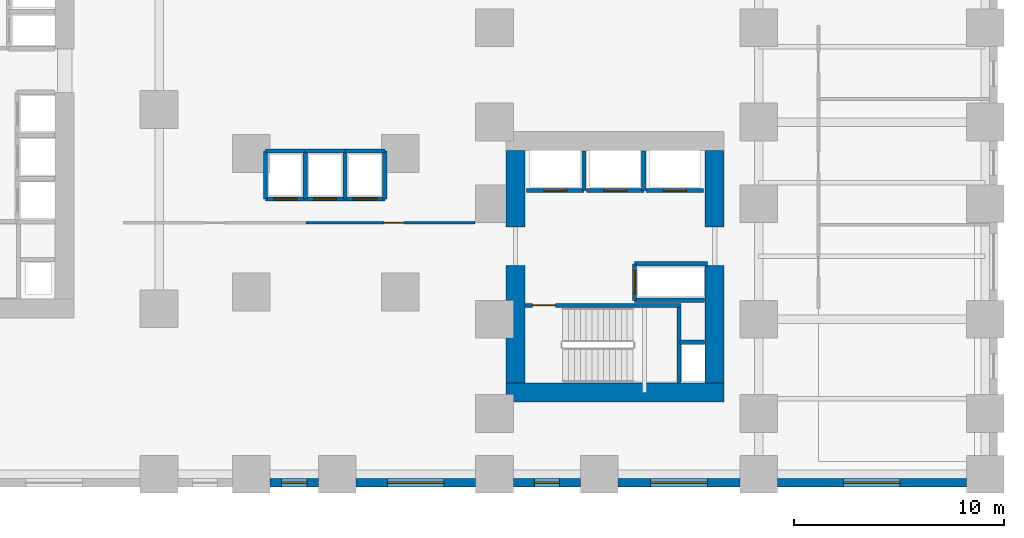
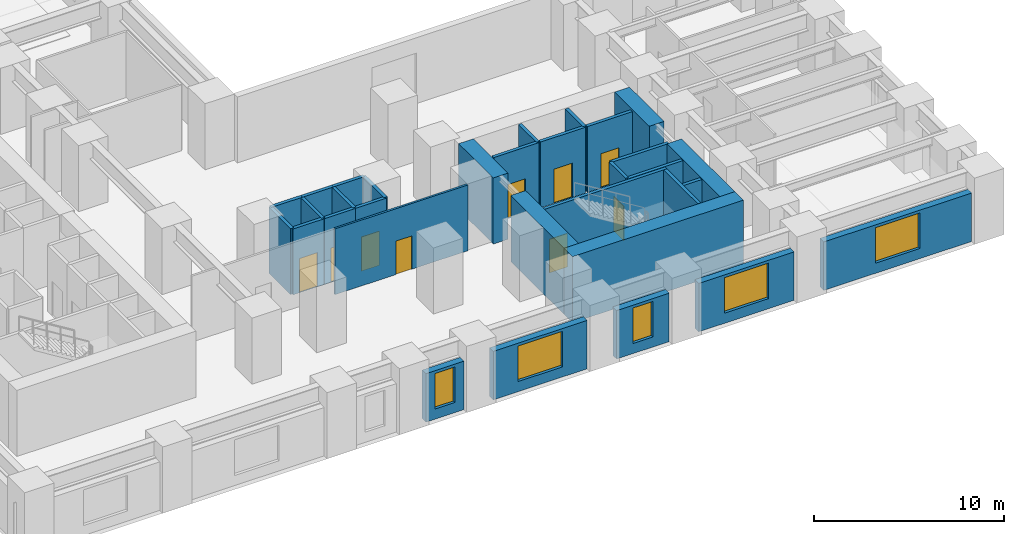
# One storey, part 6 of 11: 32 walls, 9 doors, 5 windows, 14 openings.
"""IFC4 building model written with IfcOpenShell, lengths in metres."""

from ifc_helpers import new_model, si_unit, direction, frame, frame_2d, origin, place, context, subcontext, project, spatial, rectangle, extrude, source, transform, mapped, material, layer, layer_set, type_object, element, fill, save


model = new_model("IFC4")

# Units and contexts
model_context = context("Model", 3, precision=1e-05, world=origin(), true_north=direction((0.0, 1.0)))
body_context = subcontext(model_context, "Body", "Model", "MODEL_VIEW")
ifc_project = project(units=[si_unit("LENGTHUNIT", "METRE"), si_unit("AREAUNIT", "SQUARE_METRE"), si_unit("VOLUMEUNIT", "CUBIC_METRE"), si_unit("PLANEANGLEUNIT", "RADIAN"), si_unit("MASSUNIT", "GRAM", prefix="KILO")], contexts=[model_context])

# Site, building, storey
site_placement = place(None, origin())
site = spatial("IfcSite", under=ifc_project, at=site_placement, CompositionType="ELEMENT")
building_placement = place(site_placement, origin())
building = spatial("IfcBuilding", under=site, at=building_placement, Name="Kharzan Plaza Tower", CompositionType="ELEMENT")
storey_placement = place(building_placement, frame((0.0, 0.0, 9.0)))
storey = spatial("IfcBuildingStorey", under=building, at=storey_placement, Name="L02", CompositionType="ELEMENT", Elevation=9.0)

# Wall, opening, door
ifc_material_1 = material(Name="Fire-Rated Gypsum Board Partition", Category="gypsum")
ifc_layer_1 = layer(ifc_material_1, 0.125)
ifc_layer_set_1 = layer_set([ifc_layer_1], Name="Fire-Rated Gypsum Board Partition")
wall_type_1 = type_object("IfcWallType", Name="WL-INT-PART-125", PredefinedType="PARTITIONING", material=ifc_layer_set_1)
wall_1_placement = place(storey_placement, frame((26.0, 12.60009765625, 0.0), z_axis=(0.0, 0.0, 1.0), x_axis=(1.0, 0.0, 0.0)))
wall_1 = element("IfcWall", 1, at=wall_1_placement, inside=storey, type_object=wall_type_1, Name="L02 Interior Partition L02-W3B", PredefinedType="PARTITIONING", context=body_context, shape_type="SweptSolid", body=[
    extrude(rectangle(XDim=8.080078125, YDim=0.125, at=frame_2d((4.0400390625, 0.0))), origin(), (0.0, 0.0, 1.0), 4.235107421875),
])
opening_1_placement = place(wall_1_placement, frame((3.72509765625, 0.0, 0.0)))
opening_1 = element("IfcOpeningElement", 2, at=opening_1_placement, cuts=wall_1, Name="Opening OD1", PredefinedType="OPENING", context=body_context, shape_type="SweptSolid", body=[
    extrude(rectangle(XDim=0.949951171875, YDim=2.14990234375, at=frame_2d((0.47509765625, 1.074951171875))), frame((0.0, 0.072509765625, 0.0), z_axis=(0.0, -1.0, 0.0), x_axis=(1.0, 0.0, 0.0)), (0.0, 0.0, 1.0), 0.14501953125),
])
ifc_material_2 = material(Name="Acoustic Solid-Core Stained Oak", Category="timber")
door_type_1 = type_object("IfcDoorType", Name="DR-OFF-SINGLE", OperationType="NOTDEFINED", PredefinedType="DOOR", material=ifc_material_2)
shared_shape_1 = source(origin(), body_context, "Body", "SweptSolid", [
    extrude(rectangle(XDim=0.949951171875, YDim=2.14990234375, at=frame_2d((0.47509765625, 1.074951171875))), frame((0.0, 0.02490234375, 0.0), z_axis=(0.0, -1.0, 0.0), x_axis=(1.0, 0.0, 0.0)), (0.0, 0.0, 1.0), 0.050048828125),
])
door_1_placement = place(opening_1_placement, origin())
door_1 = element("IfcDoor", 3, at=door_1_placement, inside=storey, type_object=door_type_1, Name="L02 Speakers Room Door", OperationType="SINGLE_SWING_LEFT", OverallHeight=2.14990234375, OverallWidth=0.949951171875, PredefinedType="DOOR", context=body_context, shape_type="MappedRepresentation", body=[
    mapped(shared_shape_1, transform((0.0, 0.0, 0.0), x_axis=(1.0, 0.0, 0.0), y_axis=(0.0, 1.0, 0.0), z_axis=(0.0, 0.0, 1.0))),
])
fill(opening_1, door_1)

ifc_material_3 = material(Name="Concrete C40/50", Category="concrete")
ifc_layer_2 = layer(ifc_material_3, 0.199951171875)
ifc_layer_set_2 = layer_set([ifc_layer_2], Name="Concrete C40/50")
wall_type_2 = type_object("IfcWallType", Name="WL-INT-SHAFT-200", PredefinedType="PARTITIONING", material=ifc_layer_set_2)
wall_2_placement = place(storey_placement, frame((36.530029296875, 14.1298828125, 0.0), z_axis=(0.0, 0.0, 1.0), x_axis=(1.0, 0.0, 0.0)))
wall_2 = element("IfcWall", 4, at=wall_2_placement, inside=storey, type_object=wall_type_2, Name="L02 Interior Partition SHF-PL-L1-S", PredefinedType="PARTITIONING", context=body_context, shape_type="SweptSolid", body=[
    extrude(rectangle(XDim=2.739990234375, YDim=0.199951171875, at=frame_2d((1.3701171875, 0.0))), origin(), (0.0, 0.0, 1.0), 4.235107421875),
])
opening_2_placement = place(wall_2_placement, frame((0.820068359375, 0.0, 0.0)))
opening_2 = element("IfcOpeningElement", 5, at=opening_2_placement, cuts=wall_2, Name="Opening LD", PredefinedType="OPENING", context=body_context, shape_type="SweptSolid", body=[
    extrude(rectangle(XDim=1.10009765625, YDim=2.199951171875, at=frame_2d((0.550048828125, 1.10009765625))), frame((0.0, 0.10986328125, 0.0), z_axis=(0.0, -1.0, 0.0), x_axis=(1.0, 0.0, 0.0)), (0.0, 0.0, 1.0), 0.219970703125),
])
ifc_material_4 = material(Name="Brushed Stainless Steel", Category="steel")
door_type_2 = type_object("IfcDoorType", Name="DR-LIFT-SLIDE", OperationType="SLIDING_TO_LEFT", PredefinedType="DOOR", material=ifc_material_4)
shared_shape_2 = source(origin(), body_context, "Body", "SweptSolid", [
    extrude(rectangle(XDim=1.10009765625, YDim=2.199951171875, at=frame_2d((0.550048828125, 1.10009765625))), frame((0.0, 0.02490234375, 0.0), z_axis=(0.0, -1.0, 0.0), x_axis=(1.0, 0.0, 0.0)), (0.0, 0.0, 1.0), 0.050048828125),
])
door_2_placement = place(opening_2_placement, origin())
door_2 = element("IfcDoor", 6, at=door_2_placement, inside=storey, type_object=door_type_2, Name="L02 Low-Rise Passenger Lift PL-L1 Sliding Landing Door", OperationType="SLIDING_TO_LEFT", OverallHeight=2.199951171875, OverallWidth=1.10009765625, PredefinedType="DOOR", context=body_context, shape_type="MappedRepresentation", body=[
    mapped(shared_shape_2, transform((0.0, 0.0, 0.0), x_axis=(1.0, 0.0, 0.0), y_axis=(0.0, 1.0, 0.0), z_axis=(0.0, 0.0, 1.0))),
])
fill(opening_2, door_2)

wall_3_placement = place(storey_placement, frame((39.3798828125, 14.1298828125, 0.0), z_axis=(0.0, 0.0, 1.0), x_axis=(1.0, 0.0, 0.0)))
wall_3 = element("IfcWall", 7, at=wall_3_placement, inside=storey, type_object=wall_type_2, Name="L02 Interior Partition SHF-PL-L2-S", PredefinedType="PARTITIONING", context=body_context, shape_type="SweptSolid", body=[
    extrude(rectangle(XDim=2.740234375, YDim=0.199951171875, at=frame_2d((1.3701171875, 0.0))), origin(), (0.0, 0.0, 1.0), 4.235107421875),
])
opening_3_placement = place(wall_3_placement, frame((0.820068359375, 0.0, 0.0)))
opening_3 = element("IfcOpeningElement", 8, at=opening_3_placement, cuts=wall_3, Name="Opening LD", PredefinedType="OPENING", context=body_context, shape_type="SweptSolid", body=[
    extrude(rectangle(XDim=1.10009765625, YDim=2.199951171875, at=frame_2d((0.550048828125, 1.10009765625))), frame((0.0, 0.10986328125, 0.0), z_axis=(0.0, -1.0, 0.0), x_axis=(1.0, 0.0, 0.0)), (0.0, 0.0, 1.0), 0.219970703125),
])
door_3_placement = place(opening_3_placement, origin())
door_3 = element("IfcDoor", 9, at=door_3_placement, inside=storey, type_object=door_type_2, Name="L02 Low-Rise Passenger Lift PL-L2 Sliding Landing Door", OperationType="SLIDING_TO_LEFT", OverallHeight=2.199951171875, OverallWidth=1.10009765625, PredefinedType="DOOR", context=body_context, shape_type="MappedRepresentation", body=[
    mapped(shared_shape_2, transform((0.0, 0.0, 0.0), x_axis=(1.0, 0.0, 0.0), y_axis=(0.0, 1.0, 0.0), z_axis=(0.0, 0.0, 1.0))),
])
fill(opening_3, door_3)

wall_4_placement = place(storey_placement, frame((42.22998046875, 14.1298828125, 0.0), z_axis=(0.0, 0.0, 1.0), x_axis=(1.0, 0.0, 0.0)))
wall_4 = element("IfcWall", 10, at=wall_4_placement, inside=storey, type_object=wall_type_2, Name="L02 Interior Partition SHF-PL-L3-S", PredefinedType="PARTITIONING", context=body_context, shape_type="SweptSolid", body=[
    extrude(rectangle(XDim=2.739990234375, YDim=0.199951171875, at=frame_2d((1.3701171875, 0.0))), origin(), (0.0, 0.0, 1.0), 4.235107421875),
])
opening_4_placement = place(wall_4_placement, frame((0.820068359375, 0.0, 0.0)))
opening_4 = element("IfcOpeningElement", 11, at=opening_4_placement, cuts=wall_4, Name="Opening LD", PredefinedType="OPENING", context=body_context, shape_type="SweptSolid", body=[
    extrude(rectangle(XDim=1.10009765625, YDim=2.199951171875, at=frame_2d((0.550048828125, 1.10009765625))), frame((0.0, 0.10986328125, 0.0), z_axis=(0.0, -1.0, 0.0), x_axis=(1.0, 0.0, 0.0)), (0.0, 0.0, 1.0), 0.219970703125),
])
door_4_placement = place(opening_4_placement, origin())
door_4 = element("IfcDoor", 12, at=door_4_placement, inside=storey, type_object=door_type_2, Name="L02 Low-Rise Passenger Lift PL-L3 Sliding Landing Door", OperationType="SLIDING_TO_LEFT", OverallHeight=2.199951171875, OverallWidth=1.10009765625, PredefinedType="DOOR", context=body_context, shape_type="MappedRepresentation", body=[
    mapped(shared_shape_2, transform((0.0, 0.0, 0.0), x_axis=(1.0, 0.0, 0.0), y_axis=(0.0, 1.0, 0.0), z_axis=(0.0, 0.0, 1.0))),
])
fill(opening_4, door_4)

wall_5_placement = place(storey_placement, frame((24.080078125, 13.72998046875, 0.0), z_axis=(0.0, 0.0, 1.0), x_axis=(1.0, 0.0, 0.0)))
wall_5 = element("IfcWall", 13, at=wall_5_placement, inside=storey, type_object=wall_type_2, Name="L02 Interior Partition SHF-PL-M1-S", PredefinedType="PARTITIONING", context=body_context, shape_type="SweptSolid", body=[
    extrude(rectangle(XDim=1.889892578125, YDim=0.199951171875, at=frame_2d((0.94482421875, 0.0))), origin(), (0.0, 0.0, 1.0), 4.235107421875),
])
opening_5_placement = place(wall_5_placement, frame((0.39501953125, 0.0, 0.0)))
opening_5 = element("IfcOpeningElement", 14, at=opening_5_placement, cuts=wall_5, Name="Opening LD", PredefinedType="OPENING", context=body_context, shape_type="SweptSolid", body=[
    extrude(rectangle(XDim=1.10009765625, YDim=2.199951171875, at=frame_2d((0.550048828125, 1.10009765625))), frame((0.0, 0.10986328125, 0.0), z_axis=(0.0, -1.0, 0.0), x_axis=(1.0, 0.0, 0.0)), (0.0, 0.0, 1.0), 0.219970703125),
])
door_5_placement = place(opening_5_placement, origin())
door_5 = element("IfcDoor", 15, at=door_5_placement, inside=storey, type_object=door_type_2, Name="L02 Mid-Rise Passenger Lift PL-M1 Sliding Landing Door", OperationType="SLIDING_TO_LEFT", OverallHeight=2.199951171875, OverallWidth=1.10009765625, PredefinedType="DOOR", context=body_context, shape_type="MappedRepresentation", body=[
    mapped(shared_shape_2, transform((0.0, 0.0, 0.0), x_axis=(1.0, 0.0, 0.0), y_axis=(0.0, 1.0, 0.0), z_axis=(0.0, 0.0, 1.0))),
])
fill(opening_5, door_5)

wall_6_placement = place(storey_placement, frame((25.97998046875, 13.72998046875, 0.0), z_axis=(0.0, 0.0, 1.0), x_axis=(1.0, 0.0, 0.0)))
wall_6 = element("IfcWall", 16, at=wall_6_placement, inside=storey, type_object=wall_type_2, Name="L02 Interior Partition SHF-PL-M2-S", PredefinedType="PARTITIONING", context=body_context, shape_type="SweptSolid", body=[
    extrude(rectangle(XDim=1.89013671875, YDim=0.199951171875, at=frame_2d((0.945068359375, 0.0))), origin(), (0.0, 0.0, 1.0), 4.235107421875),
])
opening_6_placement = place(wall_6_placement, frame((0.39501953125, 0.0, 0.0)))
opening_6 = element("IfcOpeningElement", 17, at=opening_6_placement, cuts=wall_6, Name="Opening LD", PredefinedType="OPENING", context=body_context, shape_type="SweptSolid", body=[
    extrude(rectangle(XDim=1.10009765625, YDim=2.199951171875, at=frame_2d((0.550048828125, 1.10009765625))), frame((0.0, 0.10986328125, 0.0), z_axis=(0.0, -1.0, 0.0), x_axis=(1.0, 0.0, 0.0)), (0.0, 0.0, 1.0), 0.219970703125),
])
door_6_placement = place(opening_6_placement, origin())
door_6 = element("IfcDoor", 18, at=door_6_placement, inside=storey, type_object=door_type_2, Name="L02 Mid-Rise Passenger Lift PL-M2 Sliding Landing Door", OperationType="SLIDING_TO_LEFT", OverallHeight=2.199951171875, OverallWidth=1.10009765625, PredefinedType="DOOR", context=body_context, shape_type="MappedRepresentation", body=[
    mapped(shared_shape_2, transform((0.0, 0.0, 0.0), x_axis=(1.0, 0.0, 0.0), y_axis=(0.0, 1.0, 0.0), z_axis=(0.0, 0.0, 1.0))),
])
fill(opening_6, door_6)

wall_7_placement = place(storey_placement, frame((27.8798828125, 13.72998046875, 0.0), z_axis=(0.0, 0.0, 1.0), x_axis=(1.0, 0.0, 0.0)))
wall_7 = element("IfcWall", 19, at=wall_7_placement, inside=storey, type_object=wall_type_2, Name="L02 Interior Partition SHF-PL-M3-S", PredefinedType="PARTITIONING", context=body_context, shape_type="SweptSolid", body=[
    extrude(rectangle(XDim=1.89013671875, YDim=0.199951171875, at=frame_2d((0.945068359375, 0.0))), origin(), (0.0, 0.0, 1.0), 4.235107421875),
])
opening_7_placement = place(wall_7_placement, frame((0.39501953125, 0.0, 0.0)))
opening_7 = element("IfcOpeningElement", 20, at=opening_7_placement, cuts=wall_7, Name="Opening LD", PredefinedType="OPENING", context=body_context, shape_type="SweptSolid", body=[
    extrude(rectangle(XDim=1.10009765625, YDim=2.199951171875, at=frame_2d((0.550048828125, 1.10009765625))), frame((0.0, 0.10986328125, 0.0), z_axis=(0.0, -1.0, 0.0), x_axis=(1.0, 0.0, 0.0)), (0.0, 0.0, 1.0), 0.219970703125),
])
door_7_placement = place(opening_7_placement, origin())
door_7 = element("IfcDoor", 21, at=door_7_placement, inside=storey, type_object=door_type_2, Name="L02 Mid-Rise Passenger Lift PL-M3 Sliding Landing Door", OperationType="SLIDING_TO_LEFT", OverallHeight=2.199951171875, OverallWidth=1.10009765625, PredefinedType="DOOR", context=body_context, shape_type="MappedRepresentation", body=[
    mapped(shared_shape_2, transform((0.0, 0.0, 0.0), x_axis=(1.0, 0.0, 0.0), y_axis=(0.0, 1.0, 0.0), z_axis=(0.0, 0.0, 1.0))),
])
fill(opening_7, door_7)

wall_8_placement = place(storey_placement, frame((41.679931640625, 8.89990234375, 0.0), z_axis=(0.0, 0.0, 1.0), x_axis=(0.0, 1.0, 0.0)))
wall_8 = element("IfcWall", 22, at=wall_8_placement, inside=storey, type_object=wall_type_2, Name="L02 Interior Partition SHF-SVL-2-W", PredefinedType="PARTITIONING", context=body_context, shape_type="SweptSolid", body=[
    extrude(rectangle(XDim=1.739990234375, YDim=0.199951171875, at=frame_2d((0.8701171875, 0.0))), origin(), (0.0, 0.0, 1.0), 4.235107421875),
])
opening_8_placement = place(wall_8_placement, frame((0.320068359375, 0.0, 0.0)))
opening_8 = element("IfcOpeningElement", 23, at=opening_8_placement, cuts=wall_8, Name="Opening LD", PredefinedType="OPENING", context=body_context, shape_type="SweptSolid", body=[
    extrude(rectangle(XDim=1.10009765625, YDim=2.199951171875, at=frame_2d((0.550048828125, 1.10009765625))), frame((0.0, 0.10986328125, 0.0), z_axis=(0.0, -1.0, 0.0), x_axis=(1.0, 0.0, 0.0)), (0.0, 0.0, 1.0), 0.219970703125),
])
door_8_placement = place(opening_8_placement, origin())
door_8 = element("IfcDoor", 24, at=door_8_placement, inside=storey, type_object=door_type_2, Name="L02 Service Lift SVL-2 Sliding Landing Door", OperationType="SLIDING_TO_LEFT", OverallHeight=2.199951171875, OverallWidth=1.10009765625, PredefinedType="DOOR", context=body_context, shape_type="MappedRepresentation", body=[
    mapped(shared_shape_2, transform((0.0, 0.0, 0.0), x_axis=(1.0, 0.0, 0.0), y_axis=(0.0, 1.0, 0.0), z_axis=(0.0, 0.0, 1.0))),
])
fill(opening_8, door_8)

# Wall, opening, window
ifc_layer_3 = layer(ifc_material_3, 0.39990234375)
ifc_layer_set_3 = layer_set([ifc_layer_3], Name="Concrete C40/50")
wall_type_3 = type_object("IfcWallType", Name="WL-POD-MAS-400", PredefinedType="SOLIDWALL", material=ifc_layer_set_3)
wall_9_placement = place(storey_placement, frame((24.298095703125, 0.199951171875, 0.0), z_axis=(0.0, 0.0, 1.0), x_axis=(1.0, 0.0, 0.0)))
wall_9 = element("IfcWall", 25, at=wall_9_placement, inside=storey, type_object=wall_type_3, Name="L02 Masonry-Frame Exterior Wall 19", PredefinedType="SOLIDWALL", context=body_context, shape_type="SweptSolid", body=[
    extrude(rectangle(XDim=2.303955078125, YDim=0.39990234375, at=frame_2d((1.15185546875, 0.0))), origin(), (0.0, 0.0, 1.0), 3.116943359375),
])
opening_9_placement = place(wall_9_placement, frame((0.552001953125, 0.0, 0.64990234375)))
opening_9 = element("IfcOpeningElement", 26, at=opening_9_placement, cuts=wall_9, Name="Opening W3", PredefinedType="OPENING", context=body_context, shape_type="SweptSolid", body=[
    extrude(rectangle(XDim=1.199951171875, YDim=2.287109375, at=frame_2d((0.60009765625, 1.1435546875))), frame((0.0, 0.2099609375, 0.0), z_axis=(0.0, -1.0, 0.0), x_axis=(1.0, 0.0, 0.0)), (0.0, 0.0, 1.0), 0.419921875),
])
ifc_material_5 = material(Name="Low-E Double Glazing", Category="glass")
window_type_1 = type_object("IfcWindowType", Name="WN-REC-1200x2100", PartitioningType="SINGLE_PANEL", PredefinedType="WINDOW", material=ifc_material_5)
shared_shape_3 = source(origin(), body_context, "Body", "SweptSolid", [
    extrude(rectangle(XDim=1.199951171875, YDim=2.287109375, at=frame_2d((0.60009765625, 1.1435546875))), frame((0.0, 0.030029296875, 0.0), z_axis=(0.0, -1.0, 0.0), x_axis=(1.0, 0.0, 0.0)), (0.0, 0.0, 1.0), 0.06005859375),
])
window_1_placement = place(opening_9_placement, origin())
window_1 = element("IfcWindow", 27, at=window_1_placement, inside=storey, type_object=window_type_1, Name="L02 Recessed Solar-Control Window 19-1", OverallHeight=2.287109375, OverallWidth=1.199951171875, PartitioningType="SINGLE_PANEL", PredefinedType="WINDOW", context=body_context, shape_type="MappedRepresentation", body=[
    mapped(shared_shape_3, transform((0.0, 0.0, 0.0), x_axis=(1.0, 0.0, 0.0), y_axis=(0.0, 1.0, 0.0), z_axis=(0.0, 0.0, 1.0))),
])
fill(opening_9, window_1)

wall_10_placement = place(storey_placement, frame((28.39794921875, 0.199951171875, 0.0), z_axis=(0.0, 0.0, 1.0), x_axis=(1.0, 0.0, 0.0)))
wall_10 = element("IfcWall", 28, at=wall_10_placement, inside=storey, type_object=wall_type_3, Name="L02 Masonry-Frame Exterior Wall 20", PredefinedType="SOLIDWALL", context=body_context, shape_type="SweptSolid", body=[
    extrude(rectangle(XDim=5.7041015625, YDim=0.39990234375, at=frame_2d((2.85205078125, 0.0))), origin(), (0.0, 0.0, 1.0), 3.116943359375),
])
opening_10_placement = place(wall_10_placement, frame((1.501953125, 0.0, 0.64990234375)))
opening_10 = element("IfcOpeningElement", 29, at=opening_10_placement, cuts=wall_10, Name="Opening W4", PredefinedType="OPENING", context=body_context, shape_type="SweptSolid", body=[
    extrude(rectangle(XDim=2.699951171875, YDim=2.287109375, at=frame_2d((1.35009765625, 1.1435546875))), frame((0.0, 0.2099609375, 0.0), z_axis=(0.0, -1.0, 0.0), x_axis=(1.0, 0.0, 0.0)), (0.0, 0.0, 1.0), 0.419921875),
])
window_type_2 = type_object("IfcWindowType", Name="WN-POD-2700x2600", PartitioningType="SINGLE_PANEL", PredefinedType="WINDOW", material=ifc_material_5)
shared_shape_4 = source(origin(), body_context, "Body", "SweptSolid", [
    extrude(rectangle(XDim=2.699951171875, YDim=2.287109375, at=frame_2d((1.35009765625, 1.1435546875))), frame((0.0, 0.030029296875, 0.0), z_axis=(0.0, -1.0, 0.0), x_axis=(1.0, 0.0, 0.0)), (0.0, 0.0, 1.0), 0.06005859375),
])
window_2_placement = place(opening_10_placement, origin())
window_2 = element("IfcWindow", 30, at=window_2_placement, inside=storey, type_object=window_type_2, Name="L02 Recessed Solar-Control Window 20-1", OverallHeight=2.287109375, OverallWidth=2.699951171875, PartitioningType="SINGLE_PANEL", PredefinedType="WINDOW", context=body_context, shape_type="MappedRepresentation", body=[
    mapped(shared_shape_4, transform((0.0, 0.0, 0.0), x_axis=(1.0, 0.0, 0.0), y_axis=(0.0, 1.0, 0.0), z_axis=(0.0, 0.0, 1.0))),
])
fill(opening_10, window_2)

wall_11_placement = place(storey_placement, frame((35.89794921875, 0.199951171875, 0.0), z_axis=(0.0, 0.0, 1.0), x_axis=(1.0, 0.0, 0.0)))
wall_11 = element("IfcWall", 31, at=wall_11_placement, inside=storey, type_object=wall_type_3, Name="L02 Masonry-Frame Exterior Wall 21", PredefinedType="SOLIDWALL", context=body_context, shape_type="SweptSolid", body=[
    extrude(rectangle(XDim=3.2041015625, YDim=0.39990234375, at=frame_2d((1.60205078125, 0.0))), origin(), (0.0, 0.0, 1.0), 3.116943359375),
])
opening_11_placement = place(wall_11_placement, frame((1.001953125, 0.0, 0.64990234375)))
opening_11 = element("IfcOpeningElement", 32, at=opening_11_placement, cuts=wall_11, Name="Opening W3", PredefinedType="OPENING", context=body_context, shape_type="SweptSolid", body=[
    extrude(rectangle(XDim=1.199951171875, YDim=2.287109375, at=frame_2d((0.60009765625, 1.1435546875))), frame((0.0, 0.2099609375, 0.0), z_axis=(0.0, -1.0, 0.0), x_axis=(1.0, 0.0, 0.0)), (0.0, 0.0, 1.0), 0.419921875),
])
window_3_placement = place(opening_11_placement, origin())
window_3 = element("IfcWindow", 33, at=window_3_placement, inside=storey, type_object=window_type_1, Name="L02 Recessed Solar-Control Window 21-1", OverallHeight=2.287109375, OverallWidth=1.199951171875, PartitioningType="SINGLE_PANEL", PredefinedType="WINDOW", context=body_context, shape_type="MappedRepresentation", body=[
    mapped(shared_shape_3, transform((0.0, 0.0, 0.0), x_axis=(1.0, 0.0, 0.0), y_axis=(0.0, 1.0, 0.0), z_axis=(0.0, 0.0, 1.0))),
])
fill(opening_11, window_3)

wall_12_placement = place(storey_placement, frame((40.89794921875, 0.199951171875, 0.0), z_axis=(0.0, 0.0, 1.0), x_axis=(1.0, 0.0, 0.0)))
wall_12 = element("IfcWall", 34, at=wall_12_placement, inside=storey, type_object=wall_type_3, Name="L02 Masonry-Frame Exterior Wall 22", PredefinedType="SOLIDWALL", context=body_context, shape_type="SweptSolid", body=[
    extrude(rectangle(XDim=5.803955078125, YDim=0.39990234375, at=frame_2d((2.90185546875, 0.0))), origin(), (0.0, 0.0, 1.0), 3.116943359375),
])
opening_12_placement = place(wall_12_placement, frame((1.552001953125, 0.0, 0.64990234375)))
opening_12 = element("IfcOpeningElement", 35, at=opening_12_placement, cuts=wall_12, Name="Opening W4", PredefinedType="OPENING", context=body_context, shape_type="SweptSolid", body=[
    extrude(rectangle(XDim=2.699951171875, YDim=2.287109375, at=frame_2d((1.35009765625, 1.1435546875))), frame((0.0, 0.2099609375, 0.0), z_axis=(0.0, -1.0, 0.0), x_axis=(1.0, 0.0, 0.0)), (0.0, 0.0, 1.0), 0.419921875),
])
window_4_placement = place(opening_12_placement, origin())
window_4 = element("IfcWindow", 36, at=window_4_placement, inside=storey, type_object=window_type_2, Name="L02 Recessed Solar-Control Window 22-1", OverallHeight=2.287109375, OverallWidth=2.699951171875, PartitioningType="SINGLE_PANEL", PredefinedType="WINDOW", context=body_context, shape_type="MappedRepresentation", body=[
    mapped(shared_shape_4, transform((0.0, 0.0, 0.0), x_axis=(1.0, 0.0, 0.0), y_axis=(0.0, 1.0, 0.0), z_axis=(0.0, 0.0, 1.0))),
])
fill(opening_12, window_4)

wall_13_placement = place(storey_placement, frame((48.498046875, 0.199951171875, 0.0), z_axis=(0.0, 0.0, 1.0), x_axis=(1.0, 0.0, 0.0)))
wall_13 = element("IfcWall", 37, at=wall_13_placement, inside=storey, type_object=wall_type_3, Name="L02 Masonry-Frame Exterior Wall 23", PredefinedType="SOLIDWALL", context=body_context, shape_type="SweptSolid", body=[
    extrude(rectangle(XDim=9.00390625, YDim=0.39990234375, at=frame_2d((4.501953125, 0.0))), origin(), (0.0, 0.0, 1.0), 3.116943359375),
])
opening_13_placement = place(wall_13_placement, frame((3.152099609375, 0.0, 0.64990234375)))
opening_13 = element("IfcOpeningElement", 38, at=opening_13_placement, cuts=wall_13, Name="Opening W4", PredefinedType="OPENING", context=body_context, shape_type="SweptSolid", body=[
    extrude(rectangle(XDim=2.699951171875, YDim=2.287109375, at=frame_2d((1.35009765625, 1.1435546875))), frame((0.0, 0.2099609375, 0.0), z_axis=(0.0, -1.0, 0.0), x_axis=(1.0, 0.0, 0.0)), (0.0, 0.0, 1.0), 0.419921875),
])
window_5_placement = place(opening_13_placement, origin())
window_5 = element("IfcWindow", 39, at=window_5_placement, inside=storey, type_object=window_type_2, Name="L02 Recessed Solar-Control Window 23-1", OverallHeight=2.287109375, OverallWidth=2.699951171875, PartitioningType="SINGLE_PANEL", PredefinedType="WINDOW", context=body_context, shape_type="MappedRepresentation", body=[
    mapped(shared_shape_4, transform((0.0, 0.0, 0.0), x_axis=(1.0, 0.0, 0.0), y_axis=(0.0, 1.0, 0.0), z_axis=(0.0, 0.0, 1.0))),
])
fill(opening_13, window_5)

# Wall, opening, door
ifc_material_6 = material(Name="Concrete C50/60", Category="concrete")
ifc_layer_4 = layer(ifc_material_6, 0.199951171875)
ifc_layer_set_4 = layer_set([ifc_layer_4], Name="Concrete C50/60")
wall_type_4 = type_object("IfcWallType", Name="WL-SHAFT-RC200", PredefinedType="SHEAR", material=ifc_layer_set_4)
wall_14_placement = place(storey_placement, frame((36.451904296875, 8.655029296875, 0.0), z_axis=(0.0, 0.0, 1.0), x_axis=(1.0, 0.0, 0.0)))
wall_14 = element("IfcWall", 40, at=wall_14_placement, inside=storey, type_object=wall_type_4, Name="L02 Stair ST-3 North RC Shaft Wall", PredefinedType="SHEAR", context=body_context, shape_type="SweptSolid", body=[
    extrude(rectangle(XDim=7.453125, YDim=0.199951171875, at=frame_2d((3.7265625, 0.0))), origin(), (0.0, 0.0, 1.0), 4.25),
])
opening_14_placement = place(wall_14_placement, frame((0.35009765625, 0.0, 0.0)))
opening_14 = element("IfcOpeningElement", 41, at=opening_14_placement, cuts=wall_14, Name="Opening SD1", PredefinedType="OPENING", context=body_context, shape_type="SweptSolid", body=[
    extrude(rectangle(XDim=1.10009765625, YDim=2.14990234375, at=frame_2d((0.550048828125, 1.074951171875))), frame((0.0, 0.10986328125, 0.0), z_axis=(0.0, -1.0, 0.0), x_axis=(1.0, 0.0, 0.0)), (0.0, 0.0, 1.0), 0.219970703125),
])
ifc_material_7 = material(Name="Fire-Rated Hollow Galvanized Steel", Category="steel")
door_type_3 = type_object("IfcDoorType", Name="DR-STAIR-FD120", OperationType="NOTDEFINED", PredefinedType="DOOR", material=ifc_material_7)
shared_shape_5 = source(origin(), body_context, "Body", "SweptSolid", [
    extrude(rectangle(XDim=1.10009765625, YDim=2.14990234375, at=frame_2d((0.550048828125, 1.074951171875))), frame((0.0, 0.02490234375, 0.0), z_axis=(0.0, -1.0, 0.0), x_axis=(1.0, 0.0, 0.0)), (0.0, 0.0, 1.0), 0.050048828125),
])
door_9_placement = place(opening_14_placement, origin())
door_9 = element("IfcDoor", 42, at=door_9_placement, inside=storey, type_object=door_type_3, Name="L02 Stair ST-3 Fire Exit Door", OperationType="SINGLE_SWING_RIGHT", OverallHeight=2.14990234375, OverallWidth=1.10009765625, PredefinedType="DOOR", context=body_context, shape_type="MappedRepresentation", body=[
    mapped(shared_shape_5, transform((0.0, 0.0, 0.0), x_axis=(1.0, 0.0, 0.0), y_axis=(0.0, 1.0, 0.0), z_axis=(0.0, 0.0, 1.0))),
])
fill(opening_14, door_9)

# Walls
ifc_material_8 = material(Name="Concrete C60/75", Category="concrete")
ifc_layer_5 = layer(ifc_material_8, 0.89990234375)
ifc_layer_set_5 = layer_set([ifc_layer_5], Name="Concrete C60/75")
wall_type_5 = type_object("IfcWallType", Name="WL-CORE-900", PredefinedType="SHEAR", material=ifc_layer_set_5)
shared_shape_6 = source(origin(), body_context, "Body", "SweptSolid", [
    extrude(rectangle(XDim=5.60009765625, YDim=0.89990234375, at=frame_2d((2.800048828125, 0.0))), origin(), (0.0, 0.0, 1.0), 4.25),
])
for number, where, z_axis, x_axis, name in (
    (43, (45.5, 4.949951171875, 0.0), (0.0, 0.0, 1.0), (0.0, 1.0, 0.0), "L02 CORE-B east shear pier 1"),
    (44, (36.0, 4.949951171875, 0.0), (0.0, 0.0, 1.0), (0.0, 1.0, 0.0), "L02 CORE-B west shear pier 1"),
):
    element("IfcWall", number, at=place(storey_placement, frame(where, z_axis=z_axis, x_axis=x_axis)), inside=storey, type_object=wall_type_5, Name=name, PredefinedType="SHEAR", context=body_context, shape_type="MappedRepresentation", body=[
        mapped(shared_shape_6, transform((0.0, 0.0, 0.0), x_axis=(1.0, 0.0, 0.0), y_axis=(0.0, 1.0, 0.0), z_axis=(0.0, 0.0, 1.0))),
    ])
shared_shape_7 = source(origin(), body_context, "Body", "SweptSolid", [
    extrude(rectangle(XDim=3.650146484375, YDim=0.89990234375, at=frame_2d((1.8251953125, 0.0))), origin(), (0.0, 0.0, 1.0), 4.25),
])
for number, where, z_axis, x_axis, name in (
    (45, (45.5, 12.39990234375, 0.0), (0.0, 0.0, 1.0), (0.0, 1.0, 0.0), "L02 CORE-B east shear pier 2"),
    (46, (36.0, 12.39990234375, 0.0), (0.0, 0.0, 1.0), (0.0, 1.0, 0.0), "L02 CORE-B west shear pier 2"),
):
    element("IfcWall", number, at=place(storey_placement, frame(where, z_axis=z_axis, x_axis=x_axis)), inside=storey, type_object=wall_type_5, Name=name, PredefinedType="SHEAR", context=body_context, shape_type="MappedRepresentation", body=[
        mapped(shared_shape_7, transform((0.0, 0.0, 0.0), x_axis=(1.0, 0.0, 0.0), y_axis=(0.0, 1.0, 0.0), z_axis=(0.0, 0.0, 1.0))),
    ])
shared_shape_8 = source(origin(), body_context, "Body", "SweptSolid", [
    extrude(rectangle(XDim=10.39990234375, YDim=0.89990234375, at=frame_2d((5.199951171875, 0.0))), origin(), (0.0, 0.0, 1.0), 4.25),
])
wall_15_placement = place(storey_placement, frame((35.550048828125, 4.5, 0.0), z_axis=(0.0, 0.0, 1.0), x_axis=(1.0, 0.0, 0.0)))
element("IfcWall", 47, at=wall_15_placement, inside=storey, type_object=wall_type_5, Name="L02 CORE-B south RC shear wall", PredefinedType="SHEAR", context=body_context, shape_type="MappedRepresentation", body=[
    mapped(shared_shape_8, transform((0.0, 0.0, 0.0), x_axis=(1.0, 0.0, 0.0), y_axis=(0.0, 1.0, 0.0), z_axis=(0.0, 0.0, 1.0))),
])
shared_shape_9 = source(origin(), body_context, "Body", "SweptSolid", [
    extrude(rectangle(XDim=1.169921875, YDim=0.199951171875, at=frame_2d((0.5849609375, 0.0))), origin(), (0.0, 0.0, 1.0), 4.235107421875),
])
wall_16_placement = place(storey_placement, frame((43.85009765625, 6.89990234375, 0.0), z_axis=(0.0, 0.0, 1.0), x_axis=(1.0, 0.0, 0.0)))
element("IfcWall", 48, at=wall_16_placement, inside=storey, type_object=wall_type_2, Name="L02 Interior Partition CB-RSRB-N", PredefinedType="PARTITIONING", context=body_context, shape_type="MappedRepresentation", body=[
    mapped(shared_shape_9, transform((0.0, 0.0, 0.0), x_axis=(1.0, 0.0, 0.0), y_axis=(0.0, 1.0, 0.0), z_axis=(0.0, 0.0, 1.0))),
])
shared_shape_10 = source(origin(), body_context, "Body", "SweptSolid", [
    extrude(rectangle(XDim=1.89013671875, YDim=0.199951171875, at=frame_2d((0.945068359375, 0.0))), origin(), (0.0, 0.0, 1.0), 4.235107421875),
])
for number, where, z_axis, x_axis, name in (
    (49, (39.27001953125, 14.1298828125, 0.0), (0.0, 0.0, 1.0), (0.0, 1.0, 0.0), "L02 Interior Partition SHF-PL-L1-E"),
    (50, (42.1201171875, 14.1298828125, 0.0), (0.0, 0.0, 1.0), (0.0, 1.0, 0.0), "L02 Interior Partition SHF-PL-L2-E"),
    (51, (25.97998046875, 16.02001953125, 0.0), (0.0, 0.0, 1.0), (1.0, 0.0, 0.0), "L02 Interior Partition SHF-PL-M2-N"),
    (52, (27.8798828125, 16.02001953125, 0.0), (0.0, 0.0, 1.0), (1.0, 0.0, 0.0), "L02 Interior Partition SHF-PL-M3-N"),
):
    element("IfcWall", number, at=place(storey_placement, frame(where, z_axis=z_axis, x_axis=x_axis)), inside=storey, type_object=wall_type_2, Name=name, PredefinedType="PARTITIONING", context=body_context, shape_type="MappedRepresentation", body=[
        mapped(shared_shape_10, transform((0.0, 0.0, 0.0), x_axis=(1.0, 0.0, 0.0), y_axis=(0.0, 1.0, 0.0), z_axis=(0.0, 0.0, 1.0))),
    ])
shared_shape_11 = source(origin(), body_context, "Body", "SweptSolid", [
    extrude(rectangle(XDim=2.2900390625, YDim=0.199951171875, at=frame_2d((1.14501953125, 0.0))), origin(), (0.0, 0.0, 1.0), 4.235107421875),
])
for number, where, z_axis, x_axis, name in (
    (53, (25.969970703125, 13.72998046875, 0.0), (0.0, 0.0, 1.0), (0.0, 1.0, 0.0), "L02 Interior Partition SHF-PL-M1-E"),
    (54, (24.080078125, 13.72998046875, 0.0), (0.0, 0.0, 1.0), (0.0, 1.0, 0.0), "L02 Interior Partition SHF-PL-M1-W"),
    (55, (27.8701171875, 13.72998046875, 0.0), (0.0, 0.0, 1.0), (0.0, 1.0, 0.0), "L02 Interior Partition SHF-PL-M2-E"),
    (56, (29.77001953125, 13.72998046875, 0.0), (0.0, 0.0, 1.0), (0.0, 1.0, 0.0), "L02 Interior Partition SHF-PL-M3-E"),
):
    element("IfcWall", number, at=place(storey_placement, frame(where, z_axis=z_axis, x_axis=x_axis)), inside=storey, type_object=wall_type_2, Name=name, PredefinedType="PARTITIONING", context=body_context, shape_type="MappedRepresentation", body=[
        mapped(shared_shape_11, transform((0.0, 0.0, 0.0), x_axis=(1.0, 0.0, 0.0), y_axis=(0.0, 1.0, 0.0), z_axis=(0.0, 0.0, 1.0))),
    ])
shared_shape_12 = source(origin(), body_context, "Body", "SweptSolid", [
    extrude(rectangle(XDim=1.889892578125, YDim=0.199951171875, at=frame_2d((0.94482421875, 0.0))), origin(), (0.0, 0.0, 1.0), 4.235107421875),
])
wall_17_placement = place(storey_placement, frame((24.080078125, 16.02001953125, 0.0), z_axis=(0.0, 0.0, 1.0), x_axis=(1.0, 0.0, 0.0)))
element("IfcWall", 57, at=wall_17_placement, inside=storey, type_object=wall_type_2, Name="L02 Interior Partition SHF-PL-M1-N", PredefinedType="PARTITIONING", context=body_context, shape_type="MappedRepresentation", body=[
    mapped(shared_shape_12, transform((0.0, 0.0, 0.0), x_axis=(1.0, 0.0, 0.0), y_axis=(0.0, 1.0, 0.0), z_axis=(0.0, 0.0, 1.0))),
])
shared_shape_13 = source(origin(), body_context, "Body", "SweptSolid", [
    extrude(rectangle(XDim=3.489990234375, YDim=0.199951171875, at=frame_2d((1.7451171875, 0.0))), origin(), (0.0, 0.0, 1.0), 4.235107421875),
])
wall_18_placement = place(storey_placement, frame((41.679931640625, 10.639892578125, 0.0), z_axis=(0.0, 0.0, 1.0), x_axis=(1.0, 0.0, 0.0)))
element("IfcWall", 58, at=wall_18_placement, inside=storey, type_object=wall_type_2, Name="L02 Interior Partition SHF-SVL-2-N", PredefinedType="PARTITIONING", context=body_context, shape_type="MappedRepresentation", body=[
    mapped(shared_shape_13, transform((0.0, 0.0, 0.0), x_axis=(1.0, 0.0, 0.0), y_axis=(0.0, 1.0, 0.0), z_axis=(0.0, 0.0, 1.0))),
])
shared_shape_14 = source(origin(), body_context, "Body", "SweptSolid", [
    extrude(rectangle(XDim=3.340087890625, YDim=0.199951171875, at=frame_2d((1.669921875, 0.0))), origin(), (0.0, 0.0, 1.0), 4.235107421875),
])
wall_19_placement = place(storey_placement, frame((41.679931640625, 8.89990234375, 0.0), z_axis=(0.0, 0.0, 1.0), x_axis=(1.0, 0.0, 0.0)))
element("IfcWall", 59, at=wall_19_placement, inside=storey, type_object=wall_type_2, Name="L02 Interior Partition SHF-SVL-2-S", PredefinedType="PARTITIONING", context=body_context, shape_type="MappedRepresentation", body=[
    mapped(shared_shape_14, transform((0.0, 0.0, 0.0), x_axis=(1.0, 0.0, 0.0), y_axis=(0.0, 1.0, 0.0), z_axis=(0.0, 0.0, 1.0))),
])
shared_shape_15 = source(origin(), body_context, "Body", "SweptSolid", [
    extrude(rectangle(XDim=3.60302734375, YDim=0.199951171875, at=frame_2d((1.801513671875, 0.0))), origin(), (0.0, 0.0, 1.0), 4.25),
])
wall_20_placement = place(storey_placement, frame((43.804931640625, 4.951904296875, 0.0), z_axis=(0.0, 0.0, 1.0), x_axis=(0.0, 1.0, 0.0)))
element("IfcWall", 60, at=wall_20_placement, inside=storey, type_object=wall_type_4, Name="L02 Stair ST-3 East RC Shaft Wall", PredefinedType="SHEAR", context=body_context, shape_type="MappedRepresentation", body=[
    mapped(shared_shape_15, transform((0.0, 0.0, 0.0), x_axis=(1.0, 0.0, 0.0), y_axis=(0.0, 1.0, 0.0), z_axis=(0.0, 0.0, 1.0))),
])

save(model, "model.ifc")
